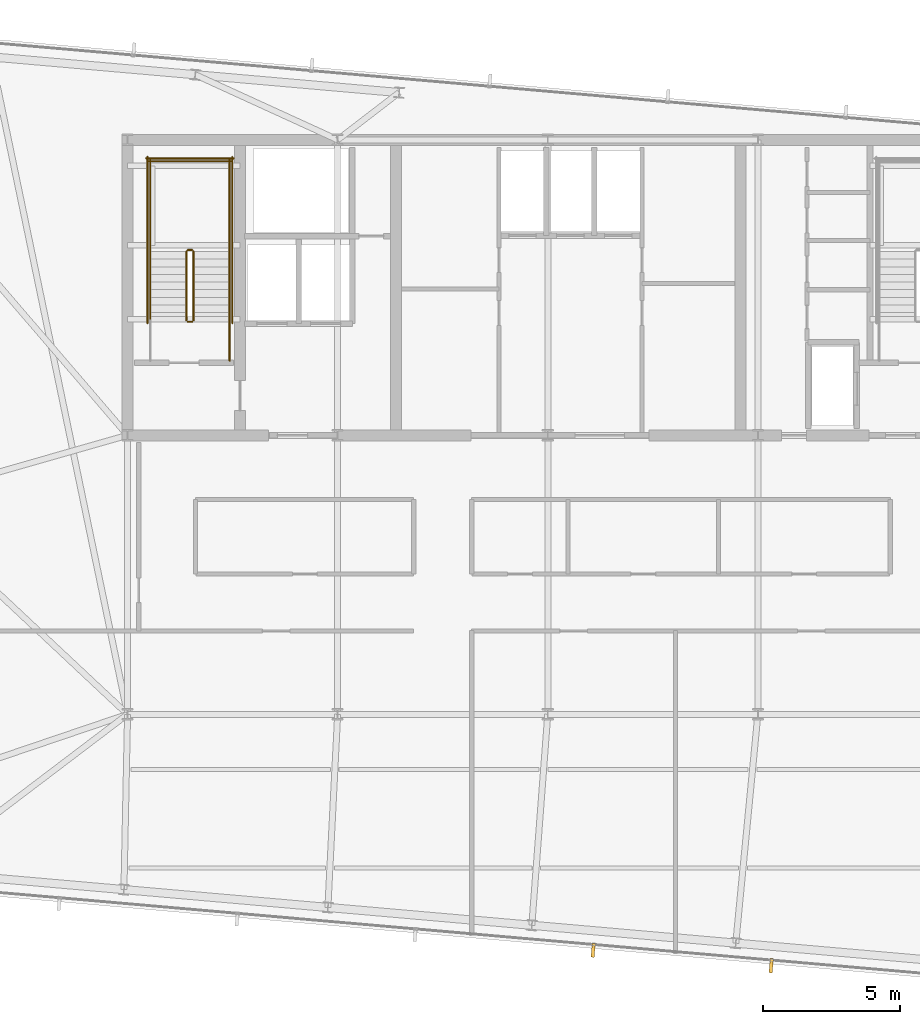
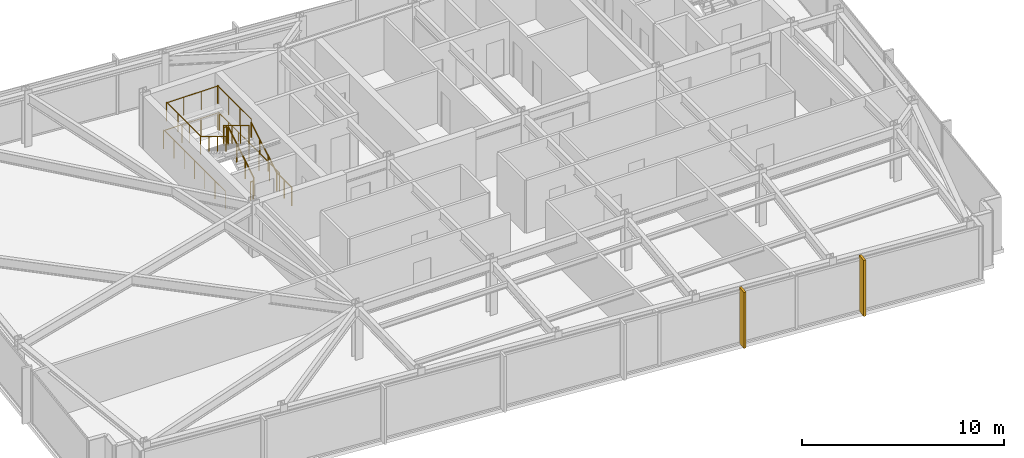
# One storey, part 30 of 32: 13 railings, 2 shading devices.
"""IFC4 building model written with IfcOpenShell, lengths in metres."""

import ifcopenshell
import ifcopenshell.guid

model = None  # the IFC model being written
_history = None  # IfcOwnerHistory: only IFC2X3 demands one
_inside = {}  # id of a spatial element -> (the spatial element, [elements in it])
_under = {}  # id of a project, library or spatial element -> (it, [spatial elements below it])
_declared = {}  # id of a project -> (the project, [libraries it declares])
_typed = {}  # id of a type object -> (the type object, [elements of that type])
_made_of = {}  # id of a material, layer set ... -> (it, [elements and type objects made of it])


def new_model(schema):
    """Start an empty IFC model of exactly this schema.

    Asked for "IFC4X3", IfcOpenShell would pick the latest addendum, in which some entities
    have other attributes; the version numbers below select the first issue.
    IFC2X3 requires an IfcOwnerHistory on every rooted entity: one is made here for all.
    """
    global model, _history
    if schema == "IFC4X3":
        model = ifcopenshell.file(schema_version=(4, 3, 0, 0))
    else:
        model = ifcopenshell.file(schema=schema)
    _inside.clear()
    _under.clear()
    _declared.clear()
    _typed.clear()
    _made_of.clear()
    _history = None
    if model.schema == "IFC2X3":
        org = make("IfcOrganization", Name="unknown")
        user = make(
            "IfcPersonAndOrganization",
            ThePerson=make("IfcPerson", FamilyName="unknown"),
            TheOrganization=org,
        )
        app = make(
            "IfcApplication",
            ApplicationDeveloper=org,
            Version="unknown",
            ApplicationFullName="unknown",
            ApplicationIdentifier="unknown",
        )
        _history = make(
            "IfcOwnerHistory",
            OwningUser=user,
            OwningApplication=app,
            ChangeAction="ADDED",
            CreationDate=0,
        )
    return model


def make(cls, **values):
    """One entity of the class cls with the attributes given. An attribute that is None is left unset."""
    return model.create_entity(
        cls, **{name: value for name, value in values.items() if value is not None}
    )


def rooted(cls, **values):
    """An entity with a GlobalId (a new one), such as an element, a storey or a relation."""
    return make(cls, GlobalId=ifcopenshell.guid.new(), OwnerHistory=_history, **values)


def si_unit(unit_type, name, prefix=None):
    """IfcSIUnit, for example si_unit("LENGTHUNIT", "METRE", prefix="MILLI")."""
    return make("IfcSIUnit", UnitType=unit_type, Prefix=prefix, Name=name)


def assignment(units):
    """IfcUnitAssignment: the units of a project."""
    return None if units is None else make("IfcUnitAssignment", Units=units)


def point(xyz):
    """IfcCartesianPoint."""
    return None if xyz is None else make("IfcCartesianPoint", Coordinates=xyz)


def direction(xyz):
    """IfcDirection."""
    return None if xyz is None else make("IfcDirection", DirectionRatios=xyz)


def frame(location, z_axis=None, x_axis=None):
    """IfcAxis2Placement3D, a coordinate frame: its origin and axes. An axis left out is left unset."""
    return make(
        "IfcAxis2Placement3D",
        Location=point(location),
        Axis=direction(z_axis),
        RefDirection=direction(x_axis),
    )


def frame_2d(location, x_axis=None):
    """IfcAxis2Placement2D, a coordinate frame in the plane: its origin and x axis."""
    return make(
        "IfcAxis2Placement2D", Location=point(location), RefDirection=direction(x_axis)
    )


def origin():
    """The frame at (0, 0, 0) with its axes left unset."""
    return frame((0.0, 0.0, 0.0))


def origin_2d():
    """The frame at (0, 0) in the plane with its x axis left unset."""
    return frame_2d((0.0, 0.0))


def place(relative_to, where):
    """IfcLocalPlacement: puts the frame where relative to a parent placement (None: the world)."""
    return make(
        "IfcLocalPlacement", PlacementRelTo=relative_to, RelativePlacement=where
    )


def context(
    kind, dimensions, precision=None, world=None, true_north=None, identifier=None
):
    """IfcGeometricRepresentationContext, for example the 3D "Model" context."""
    return make(
        "IfcGeometricRepresentationContext",
        ContextIdentifier=identifier,
        ContextType=kind,
        CoordinateSpaceDimension=dimensions,
        Precision=precision,
        WorldCoordinateSystem=world,
        TrueNorth=true_north,
    )


def subcontext(parent, identifier, kind, view, scale=None):
    """IfcGeometricRepresentationSubContext, for example "Body" below "Model"."""
    return make(
        "IfcGeometricRepresentationSubContext",
        ContextIdentifier=identifier,
        ContextType=kind,
        ParentContext=parent,
        TargetScale=scale,
        TargetView=view,
    )


def project(units=None, contexts=None):
    """IfcProject with its units and contexts."""
    return rooted(
        "IfcProject",
        Name="project",
        RepresentationContexts=contexts,
        UnitsInContext=assignment(units),
    )


def spatial(cls, under=None, at=None, **own):
    """A site, building, storey or space (cls), placed at a placement, below another one or the project."""
    s = rooted(cls, ObjectPlacement=at, **own)
    if under is not None:
        _under.setdefault(under.id(), (under, []))[1].append(s)
    return s


def profile(cls, at=None, kind="AREA", **sizes):
    """A parametric profile (cls). Its sizes go by their IFC names, for example OverallWidth=200.0."""
    return make(cls, ProfileType=kind, Position=at, **sizes)


def rectangle(**sizes):
    """IfcRectangleProfileDef."""
    return profile("IfcRectangleProfileDef", **sizes)


def circle(**sizes):
    """IfcCircleProfileDef."""
    return profile("IfcCircleProfileDef", **sizes)


def extrude(swept, where, along, depth):
    """IfcExtrudedAreaSolid: the profile swept, set in the frame where, extruded along a direction by depth."""
    return make(
        "IfcExtrudedAreaSolid",
        SweptArea=swept,
        Position=where,
        ExtrudedDirection=direction(along),
        Depth=depth,
    )


def shape(context_of_items, identifier, shape_type, items):
    """IfcShapeRepresentation: the items that make up one representation, for example the "Body"."""
    return make(
        "IfcShapeRepresentation",
        ContextOfItems=context_of_items,
        RepresentationIdentifier=identifier,
        RepresentationType=shape_type,
        Items=items,
    )


def material(Name=None, Category=None):
    """IfcMaterial."""
    return make("IfcMaterial", Name=Name, Category=Category)


def layer(
    of_material, thickness, ventilated=None, Name=None, Category=None, Priority=None
):
    """IfcMaterialLayer: one layer of a wall or slab, of a material (None: an air gap)."""
    return make(
        "IfcMaterialLayer",
        Material=of_material,
        LayerThickness=thickness,
        IsVentilated=ventilated,
        Name=Name,
        Category=Category,
        Priority=Priority,
    )


def layer_set(layers, Name=None):
    """IfcMaterialLayerSet."""
    return make("IfcMaterialLayerSet", MaterialLayers=layers, LayerSetName=Name)


def made_of(thing, what):
    """Note that an element or type object is made of a material, layer set ...; save() writes the relation."""
    if what is not None:
        _made_of.setdefault(what.id(), (what, []))[1].append(thing)
    return thing


def type_object(cls, material=None, **own):
    """A type object (cls), such as IfcWallType, which elements share."""
    return made_of(rooted(cls, **own), material)


def element(
    cls,
    number,
    at=None,
    inside=None,
    cuts=None,
    type_object=None,
    material=None,
    context=None,
    identifier="Body",
    shape_type=None,
    held_by="IfcProductDefinitionShape",
    body=None,
    shapes=None,
    **own,
):
    """One element of the class cls, such as IfcWall. Its Tag is "e" and its number.

    at: its placement. inside: the storey or other place that contains it. cuts: it is an
    opening in that element (IfcRelVoidsElement). A single representation is given by context,
    identifier, shape_type and body (its items); several are given by shapes. held_by: the class
    of the entity that holds the representations. save() writes the other relations.
    """
    e = rooted(cls, Tag="e%d" % number, ObjectPlacement=at, **own)
    if body is not None:
        shapes = [shape(context, identifier, shape_type, body)]
    if shapes is not None:
        e.Representation = make(held_by, Representations=shapes)
    if inside is not None:
        _inside.setdefault(inside.id(), (inside, []))[1].append(e)
    if cuts is not None:
        rooted(
            "IfcRelVoidsElement", RelatingBuildingElement=cuts, RelatedOpeningElement=e
        )
    if type_object is not None:
        _typed.setdefault(type_object.id(), (type_object, []))[1].append(e)
    return made_of(e, material)


def aggregate(whole, parts):
    """IfcRelAggregates: a whole, such as a stair, and the parts it consists of."""
    return rooted("IfcRelAggregates", RelatingObject=whole, RelatedObjects=parts)


def save(model, path):
    """Write the relations noted so far, then the file.

    IfcRelAggregates (storeys below a building ...), IfcRelContainedInSpatialStructure (elements
    in a storey), IfcRelDefinesByType, IfcRelAssociatesMaterial and IfcRelDeclares: one each for
    every whole, place, type object, material and project.
    """
    for whole, parts in _under.values():
        aggregate(whole, parts)
    for where, things in _inside.values():
        rooted(
            "IfcRelContainedInSpatialStructure",
            RelatedElements=things,
            RelatingStructure=where,
        )
    for kind, things in _typed.values():
        rooted("IfcRelDefinesByType", RelatedObjects=things, RelatingType=kind)
    for what, things in _made_of.values():
        rooted("IfcRelAssociatesMaterial", RelatedObjects=things, RelatingMaterial=what)
    for by, libraries in _declared.values():
        rooted("IfcRelDeclares", RelatingContext=by, RelatedDefinitions=libraries)
    model.write(path)


model = new_model("IFC4")

# Units and contexts
model_context = context("Model", 3, precision=1e-05, world=origin(), true_north=direction((0.0, 1.0)))
body_context = subcontext(model_context, "Body", "Model", "MODEL_VIEW")
ifc_project = project(units=[si_unit("LENGTHUNIT", "METRE"), si_unit("AREAUNIT", "SQUARE_METRE"), si_unit("VOLUMEUNIT", "CUBIC_METRE"), si_unit("PLANEANGLEUNIT", "RADIAN"), si_unit("MASSUNIT", "GRAM", prefix="KILO")], contexts=[model_context])

# Site, building, storey
site_placement = place(None, origin())
site = spatial("IfcSite", under=ifc_project, at=site_placement, CompositionType="ELEMENT")
building_placement = place(site_placement, origin())
building = spatial("IfcBuilding", under=site, at=building_placement, Name="Yelkora Congress Tower", CompositionType="ELEMENT")
storey_placement = place(building_placement, frame((0.0, 0.0, 269.300048828125)))
storey = spatial("IfcBuildingStorey", under=building, at=storey_placement, Name="L75", CompositionType="ELEMENT", Elevation=269.300048828125)

# Railings
ifc_material_1 = material(Name="Painted galvanised steel stair well guard with vertical infill", Category="steel")
ifc_layer_1 = layer(ifc_material_1, 0.06005859375)
ifc_layer_set_1 = layer_set([ifc_layer_1], Name="Painted galvanised steel stair well guard with vertical infill")
railing_type_1 = type_object("IfcRailingType", Name="RAIL-STAIR-GUARD-1120", PredefinedType="GUARDRAIL", material=ifc_layer_set_1)
railing_1_placement = place(storey_placement, frame((25.449951171875, 39.60009765625, 0.169921875)))
element("IfcRailing", 1, at=railing_1_placement, inside=storey, type_object=railing_type_1, Name="ST-01 L75 Stair Well Guardrail 1", PredefinedType="GUARDRAIL", context=body_context, shape_type="SweptSolid", body=[
    extrude(circle(Radius=0.02392578125, at=origin_2d()), frame((0.0, 0.0, 1.09619140625), z_axis=(0.0, 0.85478489116, 0.518982456201), x_axis=(-1.0, 0.0, 0.0)), (0.0, 0.0, 1.0), 2.9482421875),
    extrude(circle(Radius=0.02099609375, at=origin_2d()), origin(), (0.0, 0.0, 1.0), 1.072021484375),
    extrude(circle(Radius=0.02099609375, at=origin_2d()), frame((0.0, 0.840087890625, 0.510009765625)), (0.0, 0.0, 1.0), 1.072021484375),
    extrude(circle(Radius=0.02099609375, at=origin_2d()), frame((0.0, 1.679931640625, 1.02001953125)), (0.0, 0.0, 1.0), 1.072021484375),
    extrude(circle(Radius=0.02099609375, at=origin_2d()), frame((0.0, 2.52001953125, 1.530029296875)), (0.0, 0.0, 1.0), 1.072021484375),
])
railing_2_placement = place(storey_placement, frame((25.39990234375, 42.169921875, 1.699951171875)))
element("IfcRailing", 2, at=railing_2_placement, inside=storey, type_object=railing_type_1, Name="ST-01 L75 Stair Well Guardrail 2", PredefinedType="GUARDRAIL", context=body_context, shape_type="SweptSolid", body=[
    extrude(circle(Radius=0.02392578125, at=origin_2d()), frame((0.0, 0.0, 1.09619140625), z_axis=(-1.0, 0.0, 0.0), x_axis=(0.0, -1.0, 0.0)), (0.0, 0.0, 1.0), 0.159912109375),
    extrude(circle(Radius=0.02099609375, at=origin_2d()), origin(), (0.0, 0.0, 1.0), 1.072021484375),
    extrude(circle(Radius=0.02099609375, at=origin_2d()), frame((-0.159912109375, 0.0, 0.0)), (0.0, 0.0, 1.0), 1.072021484375),
])
for number, where, name in (
    (3, (26.77001953125, 42.1201171875, 1.699951171875), "ST-01 L75 Stair Well Guardrail 3"),
    (4, (23.8701171875, 42.1201171875, 1.699951171875), "ST-01 L75 Stair Well Guardrail 4"),
):
    element("IfcRailing", number, at=place(storey_placement, frame(where)), inside=storey, type_object=railing_type_1, Name=name, PredefinedType="GUARDRAIL", context=body_context, shape_type="SweptSolid", body=[
        extrude(circle(Radius=0.02392578125, at=origin_2d()), frame((0.0, 0.0, 1.09619140625), z_axis=(0.0, 1.0, 0.0), x_axis=(-1.0, 0.0, 0.0)), (0.0, 0.0, 1.0), 3.349853515625),
        extrude(circle(Radius=0.02099609375, at=origin_2d()), origin(), (0.0, 0.0, 1.0), 1.072021484375),
        extrude(circle(Radius=0.02099609375, at=origin_2d()), frame((0.0, 1.11669921875, 0.0)), (0.0, 0.0, 1.0), 1.072021484375),
        extrude(circle(Radius=0.02099609375, at=origin_2d()), frame((0.0, 2.233154296875, 0.0)), (0.0, 0.0, 1.0), 1.072021484375),
        extrude(circle(Radius=0.02099609375, at=origin_2d()), frame((0.0, 3.349853515625, 0.0)), (0.0, 0.0, 1.0), 1.072021484375),
    ])
railing_3_placement = place(storey_placement, frame((26.820068359375, 45.419921875, 1.699951171875)))
element("IfcRailing", 5, at=railing_3_placement, inside=storey, type_object=railing_type_1, Name="ST-01 L75 Stair Well Guardrail 5", PredefinedType="GUARDRAIL", context=body_context, shape_type="SweptSolid", body=[
    extrude(circle(Radius=0.02392578125, at=origin_2d()), frame((0.0, 0.0, 1.09619140625), z_axis=(-1.0, 0.0, 0.0), x_axis=(0.0, -1.0, 0.0)), (0.0, 0.0, 1.0), 3.0),
    extrude(circle(Radius=0.02099609375, at=origin_2d()), origin(), (0.0, 0.0, 1.0), 1.072021484375),
    extrude(circle(Radius=0.02099609375, at=origin_2d()), frame((-1.0, 0.0, 0.0)), (0.0, 0.0, 1.0), 1.072021484375),
    extrude(circle(Radius=0.02099609375, at=origin_2d()), frame((-2.0, 0.0, 0.0)), (0.0, 0.0, 1.0), 1.072021484375),
    extrude(circle(Radius=0.02099609375, at=origin_2d()), frame((-3.0, 0.0, 0.0)), (0.0, 0.0, 1.0), 1.072021484375),
])
railing_4_placement = place(storey_placement, frame((25.18994140625, 42.1201171875, 1.869873046875)))
element("IfcRailing", 6, at=railing_4_placement, inside=storey, type_object=railing_type_1, Name="ST-01 L75 Stair Well Guardrail 6", PredefinedType="GUARDRAIL", context=body_context, shape_type="SweptSolid", body=[
    extrude(circle(Radius=0.02392578125, at=origin_2d()), frame((0.0, 0.0, 1.09619140625), z_axis=(0.0, -0.85478489116, 0.518982456201), x_axis=(1.0, 0.0, 0.0)), (0.0, 0.0, 1.0), 2.9482421875),
    extrude(circle(Radius=0.02099609375, at=origin_2d()), origin(), (0.0, 0.0, 1.0), 1.072021484375),
    extrude(circle(Radius=0.02099609375, at=origin_2d()), frame((0.0, -0.840087890625, 0.510009765625)), (0.0, 0.0, 1.0), 1.072021484375),
    extrude(circle(Radius=0.02099609375, at=origin_2d()), frame((0.0, -1.679931640625, 1.02001953125)), (0.0, 0.0, 1.0), 1.072021484375),
    extrude(circle(Radius=0.02099609375, at=origin_2d()), frame((0.0, -2.52001953125, 1.530029296875)), (0.0, 0.0, 1.0), 1.072021484375),
])
railing_5_placement = place(storey_placement, frame((25.39990234375, 39.550048828125, 0.0)))
element("IfcRailing", 7, at=railing_5_placement, inside=storey, type_object=railing_type_1, Name="ST-01 L75 Stair Well Guardrail 7", PredefinedType="GUARDRAIL", context=body_context, shape_type="SweptSolid", body=[
    extrude(circle(Radius=0.02392578125, at=origin_2d()), frame((0.0, 0.0, 1.09619140625), z_axis=(-1.0, 0.0, 0.0), x_axis=(0.0, -1.0, 0.0)), (0.0, 0.0, 1.0), 0.159912109375),
    extrude(circle(Radius=0.02099609375, at=origin_2d()), origin(), (0.0, 0.0, 1.0), 1.072021484375),
    extrude(circle(Radius=0.02099609375, at=origin_2d()), frame((-0.159912109375, 0.0, 0.0)), (0.0, 0.0, 1.0), 1.072021484375),
])
railing_6_placement = place(storey_placement, frame((26.77001953125, 38.1201171875, 0.0)))
element("IfcRailing", 8, at=railing_6_placement, inside=storey, type_object=railing_type_1, Name="ST-01 L75 Stair Well Guardrail 8", PredefinedType="GUARDRAIL", context=body_context, shape_type="SweptSolid", body=[
    extrude(circle(Radius=0.02392578125, at=origin_2d()), frame((0.0, 0.0, 1.09619140625), z_axis=(0.0, 1.0, 0.0), x_axis=(-1.0, 0.0, 0.0)), (0.0, 0.0, 1.0), 1.47998046875),
    extrude(circle(Radius=0.02099609375, at=origin_2d()), origin(), (0.0, 0.0, 1.0), 1.072021484375),
    extrude(circle(Radius=0.02099609375, at=origin_2d()), frame((0.0, 0.739990234375, 0.0)), (0.0, 0.0, 1.0), 1.072021484375),
    extrude(circle(Radius=0.02099609375, at=origin_2d()), frame((0.0, 1.47998046875, 0.0)), (0.0, 0.0, 1.0), 1.072021484375),
])
for number, where, name in (
    (9, (26.8701171875, 39.5, 0.0), "ST-01 L75 Stair Well Guardrail 10"),
    (10, (23.77001953125, 39.5, 0.0), "ST-01 L75 Stair Well Guardrail 11"),
):
    element("IfcRailing", number, at=place(storey_placement, frame(where)), inside=storey, type_object=railing_type_1, Name=name, PredefinedType="GUARDRAIL", context=body_context, shape_type="SweptSolid", body=[
        extrude(circle(Radius=0.02392578125, at=origin_2d()), frame((0.0, 0.0, 1.09619140625), z_axis=(0.0, 1.0, 0.0), x_axis=(-1.0, 0.0, 0.0)), (0.0, 0.0, 1.0), 6.070068359375),
        extrude(circle(Radius=0.02099609375, at=origin_2d()), origin(), (0.0, 0.0, 1.0), 1.072021484375),
        extrude(circle(Radius=0.02099609375, at=origin_2d()), frame((0.0, 1.01171875, 0.0)), (0.0, 0.0, 1.0), 1.072021484375),
        extrude(circle(Radius=0.02099609375, at=origin_2d()), frame((0.0, 2.0234375, 0.0)), (0.0, 0.0, 1.0), 1.072021484375),
        extrude(circle(Radius=0.02099609375, at=origin_2d()), frame((0.0, 3.03515625, 0.0)), (0.0, 0.0, 1.0), 1.072021484375),
        extrude(circle(Radius=0.02099609375, at=origin_2d()), frame((0.0, 4.046630859375, 0.0)), (0.0, 0.0, 1.0), 1.072021484375),
        extrude(circle(Radius=0.02099609375, at=origin_2d()), frame((0.0, 5.058349609375, 0.0)), (0.0, 0.0, 1.0), 1.072021484375),
        extrude(circle(Radius=0.02099609375, at=origin_2d()), frame((0.0, 6.070068359375, 0.0)), (0.0, 0.0, 1.0), 1.072021484375),
    ])
railing_7_placement = place(storey_placement, frame((26.919921875, 45.52001953125, 0.0)))
element("IfcRailing", 11, at=railing_7_placement, inside=storey, type_object=railing_type_1, Name="ST-01 L75 Stair Well Guardrail 12", PredefinedType="GUARDRAIL", context=body_context, shape_type="SweptSolid", body=[
    extrude(circle(Radius=0.02392578125, at=origin_2d()), frame((0.0, 0.0, 1.09619140625), z_axis=(-1.0, 0.0, 0.0), x_axis=(0.0, -1.0, 0.0)), (0.0, 0.0, 1.0), 3.199951171875),
    extrude(circle(Radius=0.02099609375, at=origin_2d()), origin(), (0.0, 0.0, 1.0), 1.072021484375),
    extrude(circle(Radius=0.02099609375, at=origin_2d()), frame((-1.066650390625, 0.0, 0.0)), (0.0, 0.0, 1.0), 1.072021484375),
    extrude(circle(Radius=0.02099609375, at=origin_2d()), frame((-2.13330078125, 0.0, 0.0)), (0.0, 0.0, 1.0), 1.072021484375),
    extrude(circle(Radius=0.02099609375, at=origin_2d()), frame((-3.199951171875, 0.0, 0.0)), (0.0, 0.0, 1.0), 1.072021484375),
])
ifc_material_2 = material(Name="Brushed stainless steel tubular handrail", Category="steel")
ifc_layer_2 = layer(ifc_material_2, 0.050048828125)
ifc_layer_set_2 = layer_set([ifc_layer_2], Name="Brushed stainless steel tubular handrail")
railing_type_2 = type_object("IfcRailingType", Name="RAIL-STAIR-HAND-920", PredefinedType="HANDRAIL", material=ifc_layer_set_2)
railing_8_placement = place(storey_placement, frame((26.77001953125, 39.60009765625, 0.169921875)))
element("IfcRailing", 12, at=railing_8_placement, inside=storey, type_object=railing_type_2, Name="ST-01 L75 Pitch Handrail 1", PredefinedType="HANDRAIL", context=body_context, shape_type="SweptSolid", body=[
    extrude(circle(Radius=0.02392578125, at=origin_2d()), frame((0.0, 0.0, 0.89599609375), z_axis=(0.0, 0.85478489116, 0.518982456201), x_axis=(-1.0, 0.0, 0.0)), (0.0, 0.0, 1.0), 2.9482421875),
    extrude(circle(Radius=0.02099609375, at=origin_2d()), origin(), (0.0, 0.0, 1.0), 0.871826171875),
    extrude(circle(Radius=0.02099609375, at=origin_2d()), frame((0.0, 0.840087890625, 0.510009765625)), (0.0, 0.0, 1.0), 0.871826171875),
    extrude(circle(Radius=0.02099609375, at=origin_2d()), frame((0.0, 1.679931640625, 1.02001953125)), (0.0, 0.0, 1.0), 0.871826171875),
    extrude(circle(Radius=0.02099609375, at=origin_2d()), frame((0.0, 2.52001953125, 1.530029296875)), (0.0, 0.0, 1.0), 0.871826171875),
])
railing_9_placement = place(storey_placement, frame((23.8701171875, 42.1201171875, 1.869873046875)))
element("IfcRailing", 13, at=railing_9_placement, inside=storey, type_object=railing_type_2, Name="ST-01 L75 Pitch Handrail 2", PredefinedType="HANDRAIL", context=body_context, shape_type="SweptSolid", body=[
    extrude(circle(Radius=0.02392578125, at=origin_2d()), frame((0.0, 0.0, 0.89599609375), z_axis=(0.0, -0.85478489116, 0.518982456201), x_axis=(1.0, 0.0, 0.0)), (0.0, 0.0, 1.0), 2.9482421875),
    extrude(circle(Radius=0.02099609375, at=origin_2d()), origin(), (0.0, 0.0, 1.0), 0.871826171875),
    extrude(circle(Radius=0.02099609375, at=origin_2d()), frame((0.0, -0.840087890625, 0.510009765625)), (0.0, 0.0, 1.0), 0.871826171875),
    extrude(circle(Radius=0.02099609375, at=origin_2d()), frame((0.0, -1.679931640625, 1.02001953125)), (0.0, 0.0, 1.0), 0.871826171875),
    extrude(circle(Radius=0.02099609375, at=origin_2d()), frame((0.0, -2.52001953125, 1.530029296875)), (0.0, 0.0, 1.0), 0.871826171875),
])

# Shading devices
ifc_material_3 = material(Name="Champagne anodised aluminium", Category="aluminium")
ifc_layer_3 = layer(ifc_material_3, 3.300048828125)
ifc_layer_set_3 = layer_set([ifc_layer_3], Name="Champagne anodised aluminium")
shading_device_type = type_object("IfcShadingDeviceType", Name="SHD-FIN-ALU-520", PredefinedType="USERDEFINED", material=ifc_layer_set_3)
for number, where, z_axis, x_axis, name in (
    (14, (46.567138671875, 16.0107421875, -0.030029296875), (0.0, 0.0, 1.0), (-0.996194698092, 0.087155742748, 0.0), "L75 Vertical Anodised Solar Fin 20-1"),
    (15, (40.060546875, 16.579833984375, -0.030029296875), (0.0, 0.0, 1.0), (-0.996194698092, 0.087155742748, 0.0), "L75 Vertical Anodised Solar Fin 20-2"),
):
    element("IfcShadingDevice", number, at=place(storey_placement, frame(where, z_axis=z_axis, x_axis=x_axis)), inside=storey, type_object=shading_device_type, Name=name, ObjectType="FIN", PredefinedType="USERDEFINED", context=body_context, shape_type="SweptSolid", body=[
        extrude(rectangle(XDim=0.1201171875, YDim=0.52001953125, at=origin_2d()), origin(), (0.0, 0.0, 1.0), 3.3798828125),
    ])

save(model, "model.ifc")
